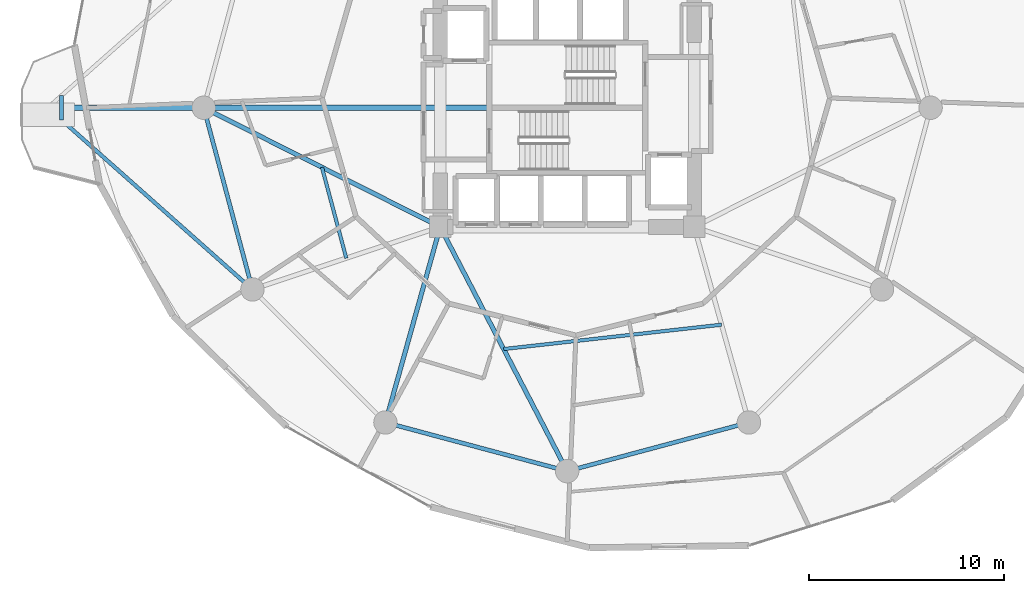
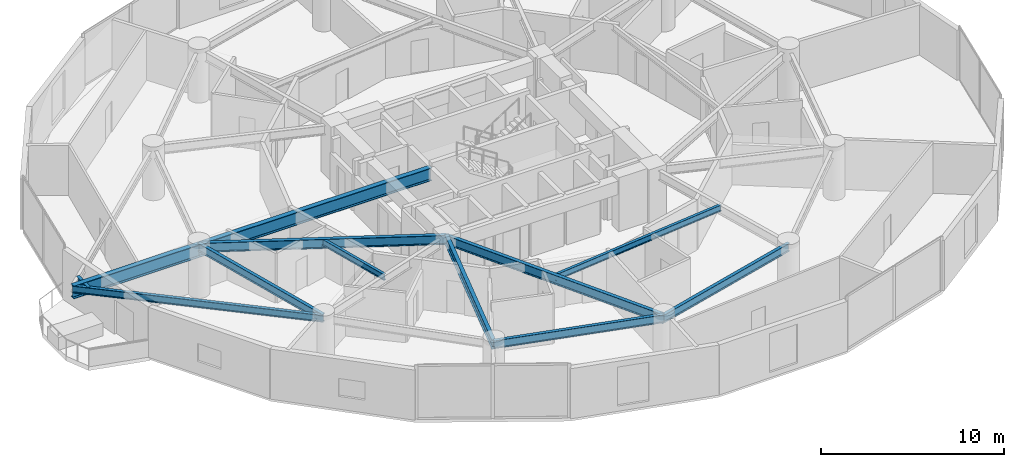
# One storey, part 3 of 22: 12 beams.
"""IFC4 building model written with IfcOpenShell, lengths in metres."""

from ifc_helpers import new_model, si_unit, direction, frame, origin, origin_2d, place, context, subcontext, project, spatial, i_section, extrude, material, material_profile, profile_set, type_object, element, save


model = new_model("IFC4")

# Units and contexts
model_context = context("Model", 3, precision=1e-05, world=origin(), true_north=direction((0.0, 1.0)))
body_context = subcontext(model_context, "Body", "Model", "MODEL_VIEW")
ifc_project = project(units=[si_unit("LENGTHUNIT", "METRE"), si_unit("AREAUNIT", "SQUARE_METRE"), si_unit("VOLUMEUNIT", "CUBIC_METRE"), si_unit("PLANEANGLEUNIT", "RADIAN"), si_unit("MASSUNIT", "GRAM", prefix="KILO")], contexts=[model_context])

# Site, building, storey
site_placement = place(None, origin())
site = spatial("IfcSite", under=ifc_project, at=site_placement, CompositionType="ELEMENT")
building_placement = place(site_placement, origin())
building = spatial("IfcBuilding", under=site, at=building_placement, Name="Solvirekh Grand Hotel", CompositionType="ELEMENT")
storey_placement = place(building_placement, frame((0.0, 0.0, 78.800048828125)))
storey = spatial("IfcBuildingStorey", under=building, at=storey_placement, Name="L19", CompositionType="ELEMENT", Elevation=78.800048828125)

# Beams
ifc_material_1 = material(Name="Steel S460", Category="steel")
ifc_material_profile_1 = material_profile(ifc_material_1, i_section(OverallWidth=0.302001953125, OverallDepth=0.85498046875, WebThickness=0.01904296875, FlangeThickness=0.032958984375, FilletRadius=0.01806640625, at=origin_2d()), Name="W840X299")
ifc_profile_set_1 = profile_set([ifc_material_profile_1], Name="Steel S460")
beam_type_1 = type_object("IfcBeamType", Name="Beam_PoolTie_W840", PredefinedType="BEAM", material=ifc_profile_set_1)
beam_1_placement = place(storey_placement, frame((-3.989990234375, 0.0, 2.863037109375), z_axis=(-1.0, 0.0, 0.0), x_axis=(0.0, -1.0, 0.0)))
element("IfcBeam", 1, at=beam_1_placement, inside=storey, type_object=beam_type_1, Name="L20 sky-garden back-span tie girder", PredefinedType="BEAM", context=body_context, shape_type="SweptSolid", body=[
    extrude(i_section(OverallWidth=0.302001953125, OverallDepth=0.85498046875, WebThickness=0.01904296875, FlangeThickness=0.032958984375, FilletRadius=0.01806640625, at=origin_2d()), origin(), (0.0, 0.0, 1.0), 14.610107421875),
])
beam_2_placement = place(storey_placement, frame((-18.60009765625, 0.0, 2.863037109375), z_axis=(-1.0, 0.0, 0.0), x_axis=(0.0, -1.0, 0.0)))
element("IfcBeam", 2, at=beam_2_placement, inside=storey, type_object=beam_type_1, Name="L20 sky-garden primary cantilever bracket", PredefinedType="BEAM", context=body_context, shape_type="SweptSolid", body=[
    extrude(i_section(OverallWidth=0.302001953125, OverallDepth=0.85498046875, WebThickness=0.01904296875, FlangeThickness=0.032958984375, FilletRadius=0.01806640625, at=origin_2d()), origin(), (0.0, 0.0, 1.0), 7.97998046875),
])
ifc_material_2 = material(Name="Steel S355", Category="steel")
ifc_material_profile_2 = material_profile(ifc_material_2, i_section(OverallWidth=0.194091796875, OverallDepth=0.468994140625, WebThickness=0.010986328125, FlangeThickness=0.01904296875, FilletRadius=0.012939453125, at=origin_2d()), Name="W460X106")
ifc_profile_set_2 = profile_set([ifc_material_profile_2], Name="Steel S355")
beam_type_2 = type_object("IfcBeamType", Name="Beam_Radial_W460H", PredefinedType="BEAM", material=ifc_profile_set_2)
beam_3_placement = place(storey_placement, frame((-16.10791015625, -9.300048828125, 3.055908203125), z_axis=(-0.747712190625, 0.664022951403, 0.0), x_axis=(-0.664022951403, -0.747712190625, 0.0)))
element("IfcBeam", 3, at=beam_3_placement, inside=storey, type_object=beam_type_2, Name="L20 sky-garden edge tie beam 2", PredefinedType="BEAM", context=body_context, shape_type="SweptSolid", body=[
    extrude(i_section(OverallWidth=0.194091796875, OverallDepth=0.468994140625, WebThickness=0.010986328125, FlangeThickness=0.01904296875, FilletRadius=0.012939453125, at=origin_2d()), origin(), (0.0, 0.0, 1.0), 14.005615234375),
])
beam_4_placement = place(storey_placement, frame((-25.8759765625, 0.625, 3.055908203125), z_axis=(0.0, -1.0, 0.0), x_axis=(1.0, 0.0, 0.0)))
element("IfcBeam", 4, at=beam_4_placement, inside=storey, type_object=beam_type_2, Name="L20 sky-garden outer cross trimmer", PredefinedType="BEAM", context=body_context, shape_type="SweptSolid", body=[
    extrude(i_section(OverallWidth=0.194091796875, OverallDepth=0.468994140625, WebThickness=0.010986328125, FlangeThickness=0.01904296875, FilletRadius=0.012939453125, at=origin_2d()), origin(), (0.0, 0.0, 1.0), 1.25),
])
ifc_material_profile_3 = material_profile(ifc_material_2, i_section(OverallWidth=0.22802734375, OverallDepth=0.616943359375, WebThickness=0.012939453125, FlangeThickness=0.02001953125, FilletRadius=0.014892578125, at=origin_2d()), Name="W610X140")
ifc_profile_set_3 = profile_set([ifc_material_profile_3], Name="Steel S355")
beam_type_3 = type_object("IfcBeamType", Name="Beam_Radial_W610", PredefinedType="BEAM", material=ifc_profile_set_3)
beam_5_placement = place(storey_placement, frame((-6.5, -6.10009765625, 3.031982421875), z_axis=(-0.892944939011, 0.450165898191, 0.0), x_axis=(-0.450165898191, -0.892944939011, 0.0)))
element("IfcBeam", 5, at=beam_5_placement, inside=storey, type_object=beam_type_3, Name="L19 radial floor beam R07", PredefinedType="BEAM", context=body_context, shape_type="SweptSolid", body=[
    extrude(i_section(OverallWidth=0.22802734375, OverallDepth=0.616943359375, WebThickness=0.012939453125, FlangeThickness=0.02001953125, FilletRadius=0.014892578125, at=origin_2d()), origin(), (0.0, 0.0, 1.0), 13.55078125),
])
beam_6_placement = place(storey_placement, frame((-6.5, -6.10009765625, 3.031982421875), z_axis=(-0.269439084681, -0.963017434757, 0.0), x_axis=(0.963017434757, -0.269439084681, 0.0)))
element("IfcBeam", 6, at=beam_6_placement, inside=storey, type_object=beam_type_3, Name="L19 radial floor beam R09", PredefinedType="BEAM", context=body_context, shape_type="SweptSolid", body=[
    extrude(i_section(OverallWidth=0.22802734375, OverallDepth=0.616943359375, WebThickness=0.012939453125, FlangeThickness=0.02001953125, FilletRadius=0.014892578125, at=origin_2d()), origin(), (0.0, 0.0, 1.0), 10.39208984375),
])
beam_7_placement = place(storey_placement, frame((-6.5, -6.10009765625, 3.031982421875), z_axis=(0.461352736642, -0.887216801235, 0.0), x_axis=(0.887216801235, 0.461352736642, 0.0)))
element("IfcBeam", 7, at=beam_7_placement, inside=storey, type_object=beam_type_3, Name="L19 radial floor beam R10", PredefinedType="BEAM", context=body_context, shape_type="SweptSolid", body=[
    extrude(i_section(OverallWidth=0.22802734375, OverallDepth=0.616943359375, WebThickness=0.012939453125, FlangeThickness=0.02001953125, FilletRadius=0.014892578125, at=origin_2d()), origin(), (0.0, 0.0, 1.0), 14.089111328125),
])
ifc_material_profile_4 = material_profile(ifc_material_2, i_section(OverallWidth=0.177978515625, OverallDepth=0.406982421875, WebThickness=0.008056640625, FlangeThickness=0.011962890625, FilletRadius=0.011962890625, at=origin_2d()), Name="W410X60")
ifc_profile_set_4 = profile_set([ifc_material_profile_4], Name="Steel S355")
beam_type_4 = type_object("IfcBeamType", Name="Joist_Floor_W410", PredefinedType="JOIST", material=ifc_profile_set_4)
beam_8_placement = place(storey_placement, frame((-12.550048828125, -3.050048828125, 3.135986328125), z_axis=(0.258849313227, -0.965917715461, 0.0), x_axis=(0.965917715461, 0.258849313227, 0.0)))
element("IfcBeam", 8, at=beam_8_placement, inside=storey, type_object=beam_type_4, Name="L19 secondary composite floor joist 7", PredefinedType="JOIST", context=body_context, shape_type="SweptSolid", body=[
    extrude(i_section(OverallWidth=0.177978515625, OverallDepth=0.406982421875, WebThickness=0.008056640625, FlangeThickness=0.011962890625, FilletRadius=0.011962890625, at=origin_2d()), origin(), (0.0, 0.0, 1.0), 4.81396484375),
])
beam_9_placement = place(storey_placement, frame((-3.25, -12.35009765625, 3.135986328125), z_axis=(0.99381294191, 0.111066810937, 0.0), x_axis=(-0.111066810937, 0.99381294191, 0.0)))
element("IfcBeam", 9, at=beam_9_placement, inside=storey, type_object=beam_type_4, Name="L19 secondary composite floor joist 10", PredefinedType="JOIST", context=body_context, shape_type="SweptSolid", body=[
    extrude(i_section(OverallWidth=0.177978515625, OverallDepth=0.406982421875, WebThickness=0.008056640625, FlangeThickness=0.011962890625, FilletRadius=0.011962890625, at=origin_2d()), origin(), (0.0, 0.0, 1.0), 11.21923828125),
])
ifc_material_profile_5 = material_profile(ifc_material_2, i_section(OverallWidth=0.208984375, OverallDepth=0.532958984375, WebThickness=0.010009765625, FlangeThickness=0.014892578125, FilletRadius=0.013916015625, at=origin_2d()), Name="W530X92")
ifc_profile_set_5 = profile_set([ifc_material_profile_5], Name="Steel S355")
beam_type_5 = type_object("IfcBeamType", Name="Spandrel_Ring_W530", PredefinedType="SPANDREL", material=ifc_profile_set_5)
for number, where, z_axis, x_axis, name in (
    (10, (-18.60009765625, 0.0, 3.073974609375), (0.258842973314, -0.965919414426, 0.0), (0.965919414426, 0.258842973314, 0.0), "L19 perimeter spandrel beam 7"),
    (11, (-9.300048828125, -16.10791015625, 3.073974609375), (0.965919414426, -0.258842973314, 0.0), (0.258842973314, 0.965919414426, 0.0), "L19 perimeter spandrel beam 9"),
    (12, (0.0, -18.60009765625, 3.073974609375), (0.965919414426, 0.258842973314, 0.0), (-0.258842973314, 0.965919414426, 0.0), "L19 perimeter spandrel beam 10"),
):
    element("IfcBeam", number, at=place(storey_placement, frame(where, z_axis=z_axis, x_axis=x_axis)), inside=storey, type_object=beam_type_5, Name=name, PredefinedType="SPANDREL", context=body_context, shape_type="SweptSolid", body=[
        extrude(i_section(OverallWidth=0.208984375, OverallDepth=0.532958984375, WebThickness=0.010009765625, FlangeThickness=0.014892578125, FilletRadius=0.013916015625, at=origin_2d()), origin(), (0.0, 0.0, 1.0), 9.628173828125),
    ])

save(model, "model.ifc")
